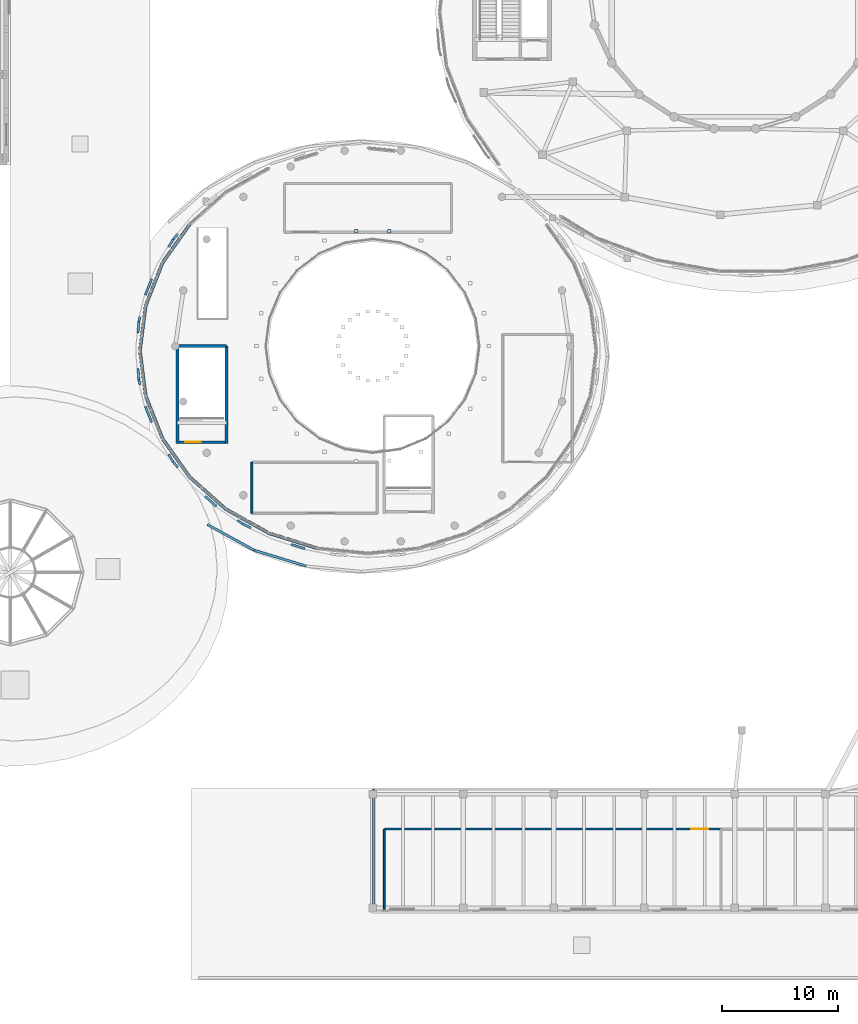
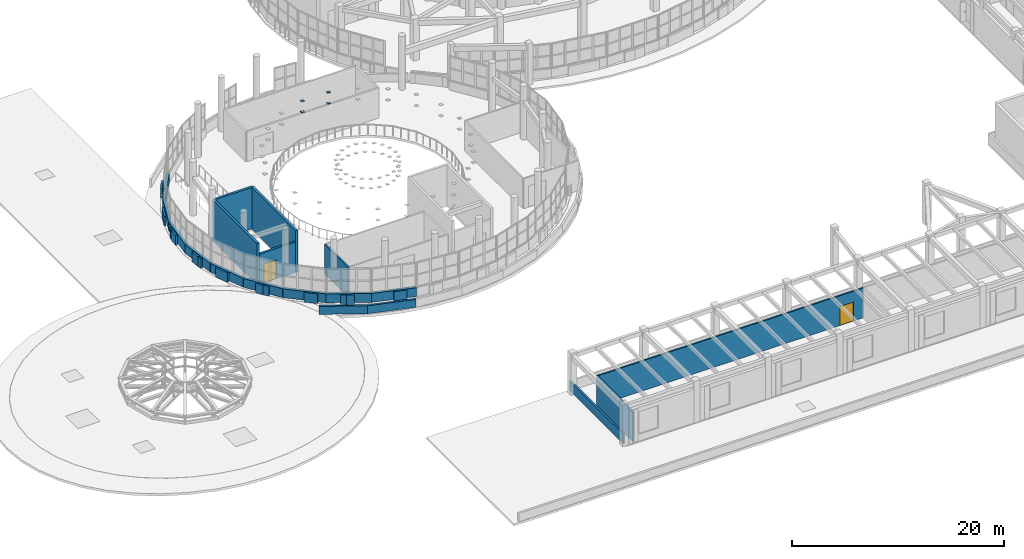
# One storey, part 86 of 105: 33 walls, 4 plates, 2 doors, 2 openings.
"""IFC4 building model written with IfcOpenShell, lengths in metres."""

from ifc_helpers import new_model, si_unit, direction, frame, frame_2d, origin, origin_2d, place, context, subcontext, project, spatial, rectangle, extrude, material, layer, layer_set, type_object, element, fill, save


model = new_model("IFC4")

# Units and contexts
model_context = context("Model", 3, precision=1e-05, world=origin(), true_north=direction((0.0, 1.0)))
body_context = subcontext(model_context, "Body", "Model", "MODEL_VIEW")
ifc_project = project(units=[si_unit("LENGTHUNIT", "METRE"), si_unit("AREAUNIT", "SQUARE_METRE"), si_unit("VOLUMEUNIT", "CUBIC_METRE"), si_unit("PLANEANGLEUNIT", "RADIAN"), si_unit("MASSUNIT", "GRAM", prefix="KILO")], contexts=[model_context])

# Site, building, storey
site_placement = place(None, origin())
site = spatial("IfcSite", under=ifc_project, at=site_placement, CompositionType="ELEMENT")
building_placement = place(site_placement, origin())
building = spatial("IfcBuilding", under=site, at=building_placement, Name="Pelvatis Terrace Science Centre", CompositionType="ELEMENT")
storey_placement = place(building_placement, frame((0.0, 0.0, 10.199951171875)))
storey = spatial("IfcBuildingStorey", under=building, at=storey_placement, Name="L02", CompositionType="ELEMENT", Elevation=10.199951171875)

# Plates
ifc_material_1 = material(Name="Structural steel S355", Category="steel")
ifc_layer_1 = layer(ifc_material_1, 0.01611328125)
ifc_layer_set_1 = layer_set([ifc_layer_1], Name="Structural steel S355")
plate_type = type_object("IfcPlateType", Name="PLT-GUS-320x280x16", PredefinedType="USERDEFINED", material=ifc_layer_set_1)
for number, where, z_axis, x_axis, name in (
    (1, (79.423095703125, 64.498291015625, 3.491943359375), (0.0, 0.0, 1.0), (1.0, 0.0, 0.0), "Brace and strut end connection gusset plate 051"),
    (2, (79.423095703125, 64.498291015625, 4.77197265625), (0.0, 0.0, 1.0), (1.0, 0.0, 0.0), "Brace and strut end connection gusset plate 052"),
    (3, (76.576904296875, 64.498291015625, 3.491943359375), (0.0, 0.0, 1.0), (1.0, 0.0, 0.0), "Brace and strut end connection gusset plate 056"),
    (4, (76.576904296875, 64.498291015625, 4.77197265625), (0.0, 0.0, 1.0), (1.0, 0.0, 0.0), "Brace and strut end connection gusset plate 057"),
):
    element("IfcPlate", number, at=place(storey_placement, frame(where, z_axis=z_axis, x_axis=x_axis)), inside=storey, type_object=plate_type, Name=name, ObjectType="GUSSET", PredefinedType="USERDEFINED", context=body_context, shape_type="SweptSolid", body=[
        extrude(rectangle(XDim=0.320068359375, YDim=0.280029296875, at=origin_2d()), origin(), (0.0, 0.0, 1.0), 0.01611328125),
    ])

# Walls
ifc_material_2 = material(Name="White architectural precast concrete C40/50 spandrel", Category="concrete")
ifc_layer_2 = layer(ifc_material_2, 0.27490234375)
ifc_layer_set_2 = layer_set([ifc_layer_2], Name="White architectural precast concrete C40/50 spandrel")
wall_type_1 = type_object("IfcWallType", Name="WL-EXT-SPND-275", PredefinedType="SOLIDWALL", material=ifc_layer_set_2)
wall_1_placement = place(storey_placement, frame((62.237060546875, 65.079833984375, 0.0), z_axis=(0.0, 0.0, 1.0), x_axis=(-0.577602786986, -0.816317965297, 0.0)))
element("IfcWall", 5, at=wall_1_placement, inside=storey, type_object=wall_type_1, Name="V2 white spiral spandrel band 12 (L02)", PredefinedType="SOLIDWALL", context=body_context, shape_type="SweptSolid", body=[
    extrude(rectangle(XDim=4.052978515625, YDim=0.27490234375, at=frame_2d((2.0263671875, 0.0))), origin(), (0.0, 0.0, 1.0), 1.02001953125),
])
wall_2_placement = place(storey_placement, frame((59.89599609375, 61.771240234375, 0.0), z_axis=(0.0, 0.0, 1.0), x_axis=(-0.366618216493, -0.93037147599, 0.0)))
element("IfcWall", 6, at=wall_2_placement, inside=storey, type_object=wall_type_1, Name="V2 white spiral spandrel band 13 (L02)", PredefinedType="SOLIDWALL", context=body_context, shape_type="SweptSolid", body=[
    extrude(rectangle(XDim=3.96435546875, YDim=0.27490234375, at=frame_2d((1.982177734375, 0.0))), origin(), (0.0, 0.0, 1.0), 1.02001953125),
])
for number, where, z_axis, x_axis, name in (
    (7, (58.442626953125, 58.0830078125, 0.0), (0.0, 0.0, 1.0), (-0.12586925625, -0.992046838779, 0.0), "V2 white spiral spandrel band 14 (L02)"),
    (8, (57.949951171875, 54.199951171875, 0.0), (0.0, 0.0, 1.0), (0.12586925625, -0.992046838779, 0.0), "V2 white spiral spandrel band 15 (L02)"),
):
    element("IfcWall", number, at=place(storey_placement, frame(where, z_axis=z_axis, x_axis=x_axis)), inside=storey, type_object=wall_type_1, Name=name, PredefinedType="SOLIDWALL", context=body_context, shape_type="SweptSolid", body=[
        extrude(rectangle(XDim=3.914306640625, YDim=0.27490234375, at=frame_2d((1.95703125, 0.0))), origin(), (0.0, 0.0, 1.0), 1.02001953125),
    ])
wall_3_placement = place(storey_placement, frame((58.442626953125, 50.31689453125, 0.0), z_axis=(0.0, 0.0, 1.0), x_axis=(0.366618216493, -0.93037147599, 0.0)))
element("IfcWall", 9, at=wall_3_placement, inside=storey, type_object=wall_type_1, Name="V2 white spiral spandrel band 16 (L02)", PredefinedType="SOLIDWALL", context=body_context, shape_type="SweptSolid", body=[
    extrude(rectangle(XDim=3.96435546875, YDim=0.27490234375, at=frame_2d((1.982177734375, 0.0))), origin(), (0.0, 0.0, 1.0), 1.02001953125),
])
wall_4_placement = place(storey_placement, frame((59.89599609375, 46.628662109375, 0.0), z_axis=(0.0, 0.0, 1.0), x_axis=(0.577602786986, -0.816317965297, 0.0)))
element("IfcWall", 10, at=wall_4_placement, inside=storey, type_object=wall_type_1, Name="V2 white spiral spandrel band 17 (L02)", PredefinedType="SOLIDWALL", context=body_context, shape_type="SweptSolid", body=[
    extrude(rectangle(XDim=4.052978515625, YDim=0.27490234375, at=frame_2d((2.0263671875, 0.0))), origin(), (0.0, 0.0, 1.0), 1.02001953125),
])
wall_5_placement = place(storey_placement, frame((62.237060546875, 43.320068359375, 0.0), z_axis=(0.0, 0.0, 1.0), x_axis=(0.747700577654, -0.664036027769, 0.0)))
element("IfcWall", 11, at=wall_5_placement, inside=storey, type_object=wall_type_1, Name="V2 white spiral spandrel band 18 (L02)", PredefinedType="SOLIDWALL", context=body_context, shape_type="SweptSolid", body=[
    extrude(rectangle(XDim=4.1611328125, YDim=0.27490234375, at=frame_2d((2.08056640625, 0.0))), origin(), (0.0, 0.0, 1.0), 1.02001953125),
])
wall_6_placement = place(storey_placement, frame((65.348388671875, 40.556884765625, 0.0), z_axis=(0.0, 0.0, 1.0), x_axis=(0.873265085856, -0.487245410266, 0.0)))
element("IfcWall", 12, at=wall_6_placement, inside=storey, type_object=wall_type_1, Name="V2 white spiral spandrel band 19 (L02)", PredefinedType="SOLIDWALL", context=body_context, shape_type="SweptSolid", body=[
    extrude(rectangle(XDim=4.2666015625, YDim=0.27490234375, at=frame_2d((2.13330078125, 0.0))), origin(), (0.0, 0.0, 1.0), 1.02001953125),
])
wall_7_placement = place(storey_placement, frame((69.07421875, 38.47802734375, 0.0), z_axis=(0.0, 0.0, 1.0), x_axis=(0.954962161309, -0.296727603144, 0.0)))
element("IfcWall", 13, at=wall_7_placement, inside=storey, type_object=wall_type_1, Name="V2 white spiral spandrel band 20 (L02)", PredefinedType="SOLIDWALL", context=body_context, shape_type="SweptSolid", body=[
    extrude(rectangle(XDim=4.34912109375, YDim=0.27490234375, at=frame_2d((2.174560546875, 0.0))), origin(), (0.0, 0.0, 1.0), 1.02001953125),
])

# Wall, opening, door
ifc_material_3 = material(Name="Concrete C35/45 stair enclosure wall", Category="concrete")
ifc_layer_3 = layer(ifc_material_3, 0.22509765625)
ifc_layer_set_3 = layer_set([ifc_layer_3], Name="Concrete C35/45 stair enclosure wall")
wall_type_2 = type_object("IfcWallType", Name="WL-INT-CORE-225", PredefinedType="PARTITIONING", material=ifc_layer_set_3)
wall_8_placement = place(storey_placement, frame((61.340087890625, 46.320068359375, 0.0), z_axis=(0.0, 0.0, 1.0), x_axis=(1.0, 0.0, 0.0)))
wall_8 = element("IfcWall", 14, at=wall_8_placement, inside=storey, type_object=wall_type_2, Name="Stair ST-05 shaft wall S (L02)", PredefinedType="PARTITIONING", context=body_context, shape_type="SweptSolid", body=[
    extrude(rectangle(XDim=3.919921875, YDim=0.22509765625, at=frame_2d((1.9599609375, 0.0))), origin(), (0.0, 0.0, 1.0), 3.510009765625),
])
opening_1_placement = place(wall_8_placement, frame((0.5, 0.0, 0.0)))
opening_1 = element("IfcOpeningElement", 15, at=opening_1_placement, cuts=wall_8, Name="Opening D-153", PredefinedType="OPENING", context=body_context, shape_type="SweptSolid", body=[
    extrude(rectangle(XDim=1.35009765625, YDim=2.199951171875, at=frame_2d((0.675048828125, 1.10009765625))), frame((0.0, 0.12255859375, 0.0), z_axis=(0.0, -1.0, 0.0), x_axis=(1.0, 0.0, 0.0)), (0.0, 0.0, 1.0), 0.2451171875),
])
ifc_material_4 = material(Name="Steel fire-rated protected stair door", Category="steel")
door_type_1 = type_object("IfcDoorType", Name="DR-STAIR-1350x2200", OperationType="NOTDEFINED", PredefinedType="DOOR", material=ifc_material_4)
door_1_placement = place(opening_1_placement, origin())
door_1 = element("IfcDoor", 16, at=door_1_placement, inside=storey, type_object=door_type_1, Name="Stair ST-05 fire door (L02)", OperationType="SINGLE_SWING_LEFT", OverallHeight=2.199951171875, OverallWidth=1.35009765625, PredefinedType="DOOR", context=body_context, shape_type="SweptSolid", body=[
    extrude(rectangle(XDim=1.35009765625, YDim=2.199951171875, at=frame_2d((0.675048828125, 1.10009765625))), frame((0.0, 0.02490234375, 0.0), z_axis=(0.0, -1.0, 0.0), x_axis=(1.0, 0.0, 0.0)), (0.0, 0.0, 1.0), 0.050048828125),
])
fill(opening_1, door_1)

# Wall
ifc_material_5 = material(Name="Dry studio acoustic partition", Category="masonry")
ifc_layer_4 = layer(ifc_material_5, 0.1650390625)
ifc_layer_set_4 = layer_set([ifc_layer_4], Name="Dry studio acoustic partition")
wall_type_3 = type_object("IfcWallType", Name="WL-INT-LAB-165", PredefinedType="PARTITIONING", material=ifc_layer_set_4)
wall_9_placement = place(storey_placement, frame((67.60009765625, 44.60009765625, 0.0), z_axis=(0.0, 0.0, 1.0), x_axis=(0.0, -1.0, 0.0)))
element("IfcWall", 17, at=wall_9_placement, inside=storey, type_object=wall_type_3, Name="Paleontology Canopy and Biodiversity Overlook Gallery partition wall W", PredefinedType="PARTITIONING", context=body_context, shape_type="SweptSolid", body=[
    extrude(rectangle(XDim=4.400146484375, YDim=0.1650390625, at=frame_2d((2.2001953125, 0.0))), origin(), (0.0, 0.0, 1.0), 3.449951171875),
])

# Wall, opening, door
wall_10_placement = place(storey_placement, frame((108.0, 13.0, 0.0), z_axis=(0.0, 0.0, 1.0), x_axis=(-1.0, 0.0, 0.0)))
wall_10 = element("IfcWall", 18, at=wall_10_placement, inside=storey, type_object=wall_type_3, Name="Dry Physics, Electromagnetism and Optics Studio 1 partition wall N", PredefinedType="PARTITIONING", context=body_context, shape_type="SweptSolid", body=[
    extrude(rectangle(XDim=29.0, YDim=0.1650390625, at=frame_2d((14.5, 0.0))), origin(), (0.0, 0.0, 1.0), 3.449951171875),
])
opening_2_placement = place(wall_10_placement, frame((1.10302734375, 0.0, 0.0)))
opening_2 = element("IfcOpeningElement", 19, at=opening_2_placement, cuts=wall_10, Name="Opening D-205", PredefinedType="OPENING", context=body_context, shape_type="SweptSolid", body=[
    extrude(rectangle(XDim=1.449951171875, YDim=2.199951171875, at=frame_2d((0.72509765625, 1.10009765625))), frame((0.0, 0.092529296875, 0.0), z_axis=(0.0, -1.0, 0.0), x_axis=(1.0, 0.0, 0.0)), (0.0, 0.0, 1.0), 0.18505859375),
])
ifc_material_6 = material(Name="Leaf-and-a-half dry studio door", Category="wood")
door_type_2 = type_object("IfcDoorType", Name="DR-LAB-1450x2200", OperationType="NOTDEFINED", PredefinedType="DOOR", material=ifc_material_6)
door_2_placement = place(opening_2_placement, origin())
door_2 = element("IfcDoor", 20, at=door_2_placement, inside=storey, type_object=door_type_2, Name="Dry Physics, Electromagnetism and Optics Studio 1 entrance door", OperationType="SINGLE_SWING_RIGHT", OverallHeight=2.199951171875, OverallWidth=1.449951171875, PredefinedType="DOOR", context=body_context, shape_type="SweptSolid", body=[
    extrude(rectangle(XDim=1.449951171875, YDim=2.199951171875, at=frame_2d((0.72509765625, 1.10009765625))), frame((0.0, 0.02490234375, 0.0), z_axis=(0.0, -1.0, 0.0), x_axis=(1.0, 0.0, 0.0)), (0.0, 0.0, 1.0), 0.050048828125),
])
fill(opening_2, door_2)

# Walls
wall_11_placement = place(storey_placement, frame((79.0, 13.0, 0.0), z_axis=(0.0, 0.0, 1.0), x_axis=(0.0, -1.0, 0.0)))
element("IfcWall", 21, at=wall_11_placement, inside=storey, type_object=wall_type_3, Name="Dry Physics, Electromagnetism and Optics Studio 1 partition wall W", PredefinedType="PARTITIONING", context=body_context, shape_type="SweptSolid", body=[
    extrude(rectangle(XDim=6.89990234375, YDim=0.1650390625, at=frame_2d((3.449951171875, 0.0))), origin(), (0.0, 0.0, 1.0), 3.449951171875),
])
ifc_material_7 = material(Name="White architectural precast concrete C40/50 spandrel parapet", Category="concrete")
ifc_layer_5 = layer(ifc_material_7, 0.18994140625)
ifc_layer_set_5 = layer_set([ifc_layer_5], Name="White architectural precast concrete C40/50 spandrel parapet")
wall_type_4 = type_object("IfcWallType", Name="WL-PAR-190", PredefinedType="PARAPET", material=ifc_layer_set_5)
wall_12_placement = place(storey_placement, frame((78.06005859375, 6.274658203125, 0.0), z_axis=(0.0, 0.0, 1.0), x_axis=(0.0, 1.0, 0.0)))
element("IfcWall", 22, at=wall_12_placement, inside=storey, type_object=wall_type_4, Name="Perimeter edge closure parapet PW-EDG-L02-247", PredefinedType="PARAPET", context=body_context, shape_type="SweptSolid", body=[
    extrude(rectangle(XDim=10.165283203125, YDim=0.18994140625, at=frame_2d((5.08251953125, 0.0))), origin(), (0.0, 0.0, 1.0), 1.1201171875),
])
wall_13_placement = place(storey_placement, frame((57.781982421875, 55.717041015625, 0.0), z_axis=(0.0, 0.0, 1.0), x_axis=(0.08026409076, 0.996773633146, 0.0)))
element("IfcWall", 23, at=wall_13_placement, inside=storey, type_object=wall_type_4, Name="Perimeter edge closure parapet PW-EDG-L02-299", PredefinedType="PARAPET", context=body_context, shape_type="SweptSolid", body=[
    extrude(rectangle(XDim=1.009765625, YDim=0.18994140625, at=frame_2d((0.5048828125, 0.0))), origin(), (0.0, 0.0, 1.0), 1.1201171875),
])
wall_14_placement = place(storey_placement, frame((57.863037109375, 56.7236328125, 0.0), z_axis=(0.0, 0.0, 1.0), x_axis=(0.237490533889, 0.971389852898, 0.0)))
element("IfcWall", 24, at=wall_14_placement, inside=storey, type_object=wall_type_4, Name="Perimeter edge closure parapet PW-EDG-L02-300", PredefinedType="PARAPET", context=body_context, shape_type="SweptSolid", body=[
    extrude(rectangle(XDim=0.41015625, YDim=0.18994140625, at=frame_2d((0.205078125, 0.0))), origin(), (0.0, 0.0, 1.0), 1.1201171875),
])
wall_15_placement = place(storey_placement, frame((58.418701171875, 58.997314453125, 0.0), z_axis=(0.0, 0.0, 1.0), x_axis=(0.366576170824, 0.930388043229, 0.0)))
element("IfcWall", 25, at=wall_15_placement, inside=storey, type_object=wall_type_4, Name="Perimeter edge closure parapet PW-EDG-L02-301", PredefinedType="PARAPET", context=body_context, shape_type="SweptSolid", body=[
    extrude(rectangle(XDim=1.48779296875, YDim=0.18994140625, at=frame_2d((0.743896484375, 0.0))), origin(), (0.0, 0.0, 1.0), 1.1201171875),
])
wall_16_placement = place(storey_placement, frame((60.423095703125, 63.135009765625, 0.0), z_axis=(0.0, 0.0, 1.0), x_axis=(0.522905733954, 0.852390516957, 0.0)))
element("IfcWall", 26, at=wall_16_placement, inside=storey, type_object=wall_type_4, Name="Perimeter edge closure parapet PW-EDG-L02-302", PredefinedType="PARAPET", context=body_context, shape_type="SweptSolid", body=[
    extrude(rectangle(XDim=0.76611328125, YDim=0.18994140625, at=frame_2d((0.383056640625, 0.0))), origin(), (0.0, 0.0, 1.0), 1.1201171875),
])
wall_17_placement = place(storey_placement, frame((60.82373046875, 63.7880859375, 0.0), z_axis=(0.0, 0.0, 1.0), x_axis=(0.643535028364, 0.765416662524, 0.0)))
element("IfcWall", 27, at=wall_17_placement, inside=storey, type_object=wall_type_4, Name="Perimeter edge closure parapet PW-EDG-L02-303", PredefinedType="PARAPET", context=body_context, shape_type="SweptSolid", body=[
    extrude(rectangle(XDim=0.600830078125, YDim=0.18994140625, at=frame_2d((0.30029296875, 0.0))), origin(), (0.0, 0.0, 1.0), 1.1201171875),
])
wall_18_placement = place(storey_placement, frame((72.163818359375, 37.143798828125, 0.0), z_axis=(0.0, 0.0, 1.0), x_axis=(-0.955006904247, 0.296583568054, 0.0)))
element("IfcWall", 28, at=wall_18_placement, inside=storey, type_object=wall_type_4, Name="Perimeter edge closure parapet PW-EDG-L02-330", PredefinedType="PARAPET", context=body_context, shape_type="SweptSolid", body=[
    extrude(rectangle(XDim=1.24951171875, YDim=0.18994140625, at=frame_2d((0.624755859375, 0.0))), origin(), (0.0, 0.0, 1.0), 1.1201171875),
])
wall_19_placement = place(storey_placement, frame((67.514892578125, 38.938720703125, 0.0), z_axis=(0.0, 0.0, 1.0), x_axis=(-0.899405659658, 0.437114926965, 0.0)))
element("IfcWall", 29, at=wall_19_placement, inside=storey, type_object=wall_type_4, Name="Perimeter edge closure parapet PW-EDG-L02-331", PredefinedType="PARAPET", context=body_context, shape_type="SweptSolid", body=[
    extrude(rectangle(XDim=0.77587890625, YDim=0.18994140625, at=frame_2d((0.387939453125, 0.0))), origin(), (0.0, 0.0, 1.0), 1.1201171875),
])
wall_20_placement = place(storey_placement, frame((66.817138671875, 39.27783203125, 0.0), z_axis=(0.0, 0.0, 1.0), x_axis=(-0.832319631583, 0.554295977688, 0.0)))
element("IfcWall", 30, at=wall_20_placement, inside=storey, type_object=wall_type_4, Name="Perimeter edge closure parapet PW-EDG-L02-332", PredefinedType="PARAPET", context=body_context, shape_type="SweptSolid", body=[
    extrude(rectangle(XDim=0.5576171875, YDim=0.18994140625, at=frame_2d((0.27880859375, 0.0))), origin(), (0.0, 0.0, 1.0), 1.1201171875),
])
wall_21_placement = place(storey_placement, frame((64.548095703125, 40.789794921875, 0.0), z_axis=(0.0, 0.0, 1.0), x_axis=(-0.747737784764, 0.663994130423, 0.0)))
element("IfcWall", 31, at=wall_21_placement, inside=storey, type_object=wall_type_4, Name="Perimeter edge closure parapet PW-EDG-L02-333", PredefinedType="PARAPET", context=body_context, shape_type="SweptSolid", body=[
    extrude(rectangle(XDim=1.31201171875, YDim=0.18994140625, at=frame_2d((0.656005859375, 0.0))), origin(), (0.0, 0.0, 1.0), 1.1201171875),
])
wall_22_placement = place(storey_placement, frame((61.21044921875, 44.152099609375, 0.0), z_axis=(0.0, 0.0, 1.0), x_axis=(-0.643735187042, 0.765248331566, 0.0)))
element("IfcWall", 32, at=wall_22_placement, inside=storey, type_object=wall_type_4, Name="Perimeter edge closure parapet PW-EDG-L02-334", PredefinedType="PARAPET", context=body_context, shape_type="SweptSolid", body=[
    extrude(rectangle(XDim=0.600830078125, YDim=0.18994140625, at=frame_2d((0.30029296875, 0.0))), origin(), (0.0, 0.0, 1.0), 1.1201171875),
])
wall_23_placement = place(storey_placement, frame((60.82373046875, 44.61181640625, 0.0), z_axis=(0.0, 0.0, 1.0), x_axis=(-0.522905733954, 0.852390516957, 0.0)))
element("IfcWall", 33, at=wall_23_placement, inside=storey, type_object=wall_type_4, Name="Perimeter edge closure parapet PW-EDG-L02-335", PredefinedType="PARAPET", context=body_context, shape_type="SweptSolid", body=[
    extrude(rectangle(XDim=0.76611328125, YDim=0.18994140625, at=frame_2d((0.383056640625, 0.0))), origin(), (0.0, 0.0, 1.0), 1.1201171875),
])
wall_24_placement = place(storey_placement, frame((58.964111328125, 48.0185546875, 0.0), z_axis=(0.0, 0.0, 1.0), x_axis=(-0.366632142792, 0.930365988132, 0.0)))
element("IfcWall", 34, at=wall_24_placement, inside=storey, type_object=wall_type_4, Name="Perimeter edge closure parapet PW-EDG-L02-336", PredefinedType="PARAPET", context=body_context, shape_type="SweptSolid", body=[
    extrude(rectangle(XDim=1.487548828125, YDim=0.18994140625, at=frame_2d((0.74365234375, 0.0))), origin(), (0.0, 0.0, 1.0), 1.1201171875),
])
wall_25_placement = place(storey_placement, frame((57.96044921875, 51.27783203125, 0.0), z_axis=(0.0, 0.0, 1.0), x_axis=(-0.237353297355, 0.971423394939, 0.0)))
element("IfcWall", 35, at=wall_25_placement, inside=storey, type_object=wall_type_4, Name="Perimeter edge closure parapet PW-EDG-L02-337", PredefinedType="PARAPET", context=body_context, shape_type="SweptSolid", body=[
    extrude(rectangle(XDim=0.410400390625, YDim=0.18994140625, at=frame_2d((0.205078125, 0.0))), origin(), (0.0, 0.0, 1.0), 1.1201171875),
])
wall_26_placement = place(storey_placement, frame((57.863037109375, 51.676513671875, 0.0), z_axis=(0.0, 0.0, 1.0), x_axis=(-0.08026409076, 0.996773633146, 0.0)))
element("IfcWall", 36, at=wall_26_placement, inside=storey, type_object=wall_type_4, Name="Perimeter edge closure parapet PW-EDG-L02-338", PredefinedType="PARAPET", context=body_context, shape_type="SweptSolid", body=[
    extrude(rectangle(XDim=1.009765625, YDim=0.18994140625, at=frame_2d((0.5048828125, 0.0))), origin(), (0.0, 0.0, 1.0), 1.1201171875),
])
ifc_material_8 = material(Name="White architectural precast concrete C40/50 spandrel parapet", Category="concrete")
ifc_layer_6 = layer(ifc_material_8, 0.205078125)
ifc_layer_set_6 = layer_set([ifc_layer_6], Name="White architectural precast concrete C40/50 spandrel parapet")
wall_type_5 = type_object("IfcWallType", Name="WL-PAR-205", PredefinedType="PARAPET", material=ifc_layer_set_6)
wall_27_placement = place(storey_placement, frame((63.76953125, 39.220458984375, 0.0), z_axis=(0.0, 0.0, 1.0), x_axis=(0.876821815184, -0.480815457756, 0.0)))
element("IfcWall", 37, at=wall_27_placement, inside=storey, type_object=wall_type_5, Name="White spiral ring parapet PW-CRV-L02-106", PredefinedType="PARAPET", context=body_context, shape_type="SweptSolid", body=[
    extrude(rectangle(XDim=4.588623046875, YDim=0.205078125, at=frame_2d((2.29443359375, 0.0))), origin(), (0.0, 0.0, 1.0), 0.920166015625),
])
wall_28_placement = place(storey_placement, frame((67.79296875, 37.01416015625, 0.0), z_axis=(0.0, 0.0, 1.0), x_axis=(0.956385915661, -0.292106111413, 0.0)))
element("IfcWall", 38, at=wall_28_placement, inside=storey, type_object=wall_type_5, Name="White spiral ring parapet PW-CRV-L02-107", PredefinedType="PARAPET", context=body_context, shape_type="SweptSolid", body=[
    extrude(rectangle(XDim=4.689697265625, YDim=0.205078125, at=frame_2d((2.3447265625, 0.0))), origin(), (0.0, 0.0, 1.0), 0.920166015625),
])
ifc_material_9 = material(Name="Concrete C40/50", Category="concrete")
ifc_layer_7 = layer(ifc_material_9, 0.25)
ifc_layer_set_7 = layer_set([ifc_layer_7], Name="Concrete C40/50")
wall_type_6 = type_object("IfcWallType", Name="WL-SHR-250", PredefinedType="SHEAR", material=ifc_layer_set_7)
wall_29_placement = place(storey_placement, frame((61.199951171875, 54.60009765625, 0.0), z_axis=(0.0, 0.0, 1.0), x_axis=(1.0, 0.0, 0.0)))
element("IfcWall", 39, at=wall_29_placement, inside=storey, type_object=wall_type_6, Name="Stair ST-05 structural wall N (L02)", PredefinedType="SHEAR", context=body_context, shape_type="SweptSolid", body=[
    extrude(rectangle(XDim=4.199951171875, YDim=0.25, at=frame_2d((2.10009765625, 0.0))), origin(), (0.0, 0.0, 1.0), 4.800048828125),
])
for number, where, z_axis, x_axis, name in (
    (40, (61.199951171875, 46.199951171875, 0.0), (0.0, 0.0, 1.0), (0.0, 1.0, 0.0), "Stair ST-05 structural wall W (L02)"),
    (41, (65.39990234375, 46.199951171875, 0.0), (0.0, 0.0, 1.0), (0.0, 1.0, 0.0), "Stair ST-05 structural wall E (L02)"),
):
    element("IfcWall", number, at=place(storey_placement, frame(where, z_axis=z_axis, x_axis=x_axis)), inside=storey, type_object=wall_type_6, Name=name, PredefinedType="SHEAR", context=body_context, shape_type="SweptSolid", body=[
        extrude(rectangle(XDim=8.400146484375, YDim=0.25, at=frame_2d((4.2001953125, 0.0))), origin(), (0.0, 0.0, 1.0), 4.800048828125),
    ])

save(model, "model.ifc")
